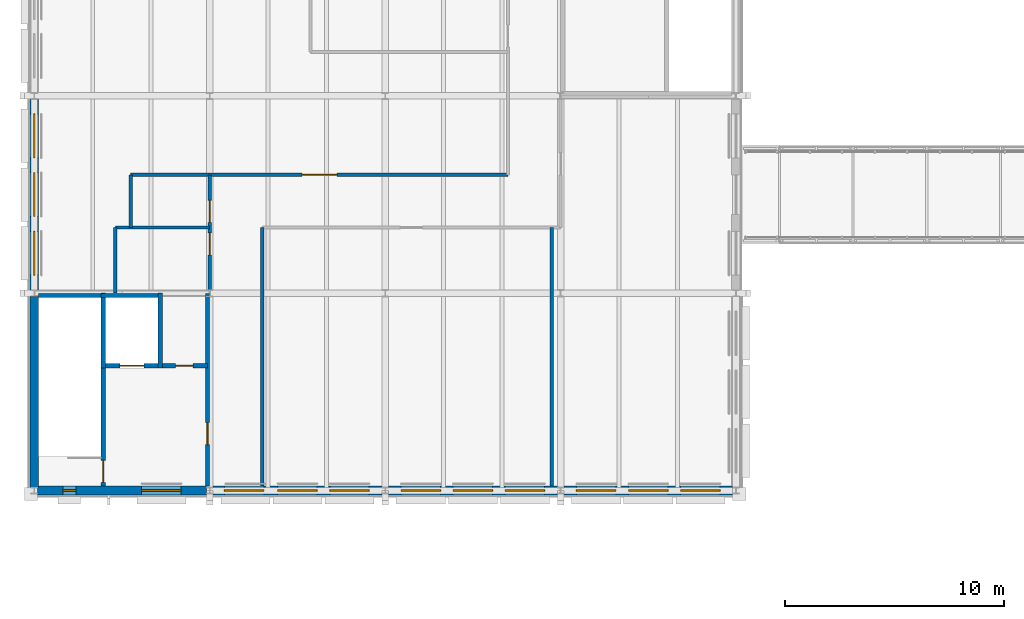
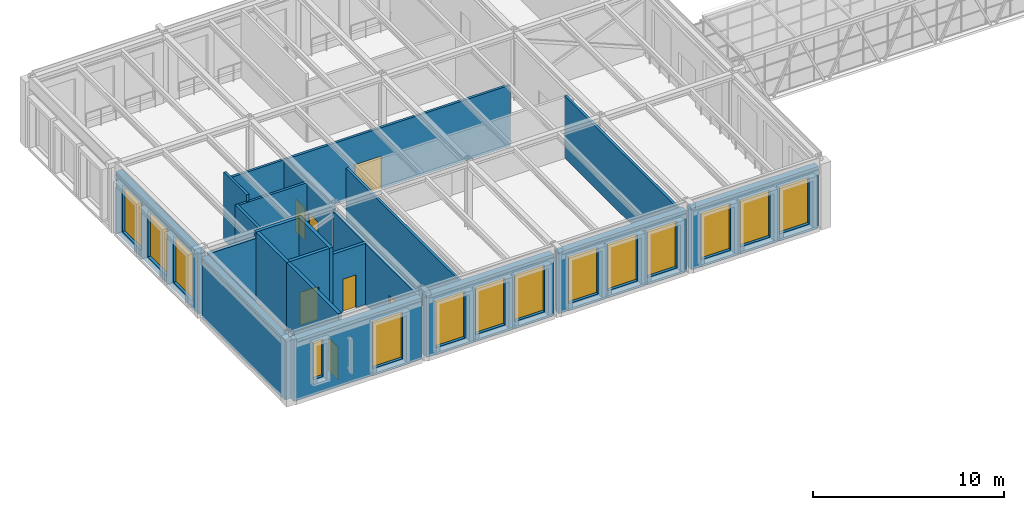
# One storey, part 93 of 149: 21 walls, 14 windows, 7 doors, 21 openings.
"""IFC4 building model written with IfcOpenShell, lengths in metres."""

from ifc_helpers import new_model, si_unit, direction, frame, frame_2d, origin, place, context, subcontext, project, spatial, rectangle, extrude, material, layer, layer_set, type_object, element, fill, save


model = new_model("IFC4")

# Units and contexts
model_context = context("Model", 3, precision=1e-05, world=origin(), true_north=direction((0.0, 1.0)))
body_context = subcontext(model_context, "Body", "Model", "MODEL_VIEW")
ifc_project = project(units=[si_unit("LENGTHUNIT", "METRE"), si_unit("AREAUNIT", "SQUARE_METRE"), si_unit("VOLUMEUNIT", "CUBIC_METRE"), si_unit("PLANEANGLEUNIT", "RADIAN"), si_unit("MASSUNIT", "GRAM", prefix="KILO")], contexts=[model_context])

# Site, building, storey
site_placement = place(None, origin())
site = spatial("IfcSite", under=ifc_project, at=site_placement, CompositionType="ELEMENT")
building_placement = place(site_placement, origin())
building = spatial("IfcBuilding", under=site, at=building_placement, Name="Kallimachos Central Library", CompositionType="ELEMENT")
storey_placement = place(building_placement, frame((0.0, 0.0, 9.89990234375)))
storey = spatial("IfcBuildingStorey", under=building, at=storey_placement, Name="L02", CompositionType="ELEMENT", Elevation=9.89990234375)

# Wall
ifc_material_1 = material(Name="Concrete C30/37", Category="concrete")
ifc_layer_1 = layer(ifc_material_1, 0.199951171875)
ifc_layer_set_1 = layer_set([ifc_layer_1], Name="Core wall 200")
wall_type_1 = type_object("IfcWallType", Name="Core wall 200", PredefinedType="SOLIDWALL", material=ifc_layer_set_1)
wall_1_placement = place(storey_placement, frame((6.199951171875, 95.89990234375, 0.0), z_axis=(0.0, 0.0, 1.0), x_axis=(1.0, 0.0, 0.0)))
element("IfcWall", 1, at=wall_1_placement, inside=storey, type_object=wall_type_1, Name="Core wall sw-stair-north L02", PredefinedType="SOLIDWALL", context=body_context, shape_type="SweptSolid", body=[
    extrude(rectangle(XDim=2.85009765625, YDim=0.199951171875, at=frame_2d((1.425048828125, 0.0))), origin(), (0.0, 0.0, 1.0), 3.960205078125),
])

# Wall, opening, door
wall_2_placement = place(storey_placement, frame((13.89990234375, 87.199951171875, 0.0), z_axis=(0.0, 0.0, 1.0), x_axis=(0.0, 1.0, 0.0)))
wall_2 = element("IfcWall", 2, at=wall_2_placement, inside=storey, type_object=wall_type_1, Name="Core wall sw-east L02", PredefinedType="SOLIDWALL", context=body_context, shape_type="SweptSolid", body=[
    extrude(rectangle(XDim=8.800048828125, YDim=0.199951171875, at=frame_2d((4.39990234375, 0.0))), origin(), (0.0, 0.0, 1.0), 3.91015625),
])
opening_1_placement = place(wall_2_placement, frame((1.89990234375, 0.0, 0.0)))
opening_1 = element("IfcOpeningElement", 3, at=opening_1_placement, cuts=wall_2, Name="Opening D309", PredefinedType="OPENING", context=body_context, shape_type="SweptSolid", body=[
    extrude(rectangle(XDim=1.0, YDim=2.10009765625, at=frame_2d((0.5, 1.050048828125))), frame((0.0, 0.10986328125, 0.0), z_axis=(0.0, -1.0, 0.0), x_axis=(1.0, 0.0, 0.0)), (0.0, 0.0, 1.0), 0.219970703125),
])
ifc_material_2 = material(Name="Steel fire door", Category="steel")
door_type_1 = type_object("IfcDoorType", Name="Fire door 1000 x 2100", OperationType="NOTDEFINED", PredefinedType="DOOR", material=ifc_material_2)
door_1_placement = place(opening_1_placement, origin())
door_1 = element("IfcDoor", 4, at=door_1_placement, inside=storey, type_object=door_type_1, Name="Stair lobby ST5 door to corridor", OperationType="SINGLE_SWING_RIGHT", OverallHeight=2.10009765625, OverallWidth=1.0, PredefinedType="DOOR", context=body_context, shape_type="SweptSolid", body=[
    extrude(rectangle(XDim=1.0, YDim=2.10009765625, at=frame_2d((0.5, 1.050048828125))), frame((0.0, 0.02490234375, 0.0), z_axis=(0.0, -1.0, 0.0), x_axis=(1.0, 0.0, 0.0)), (0.0, 0.0, 1.0), 0.050048828125),
])
fill(opening_1, door_1)

ifc_material_3 = material(Name="Concrete C30/37", Category="concrete")
ifc_layer_2 = layer(ifc_material_3, 0.199951171875)
ifc_layer_set_2 = layer_set([ifc_layer_2], Name="Core wall 200, non-load-bearing")
wall_type_2 = type_object("IfcWallType", Name="Core wall 200, non-load-bearing", PredefinedType="SOLIDWALL", material=ifc_layer_set_2)
wall_3_placement = place(storey_placement, frame((9.14990234375, 87.199951171875, 0.0), z_axis=(0.0, 0.0, 1.0), x_axis=(0.0, 1.0, 0.0)))
wall_3 = element("IfcWall", 5, at=wall_3_placement, inside=storey, type_object=wall_type_2, Name="Core wall sw-stair-lobby L02", PredefinedType="SOLIDWALL", context=body_context, shape_type="SweptSolid", body=[
    extrude(rectangle(XDim=5.400146484375, YDim=0.199951171875, at=frame_2d((2.7001953125, 0.0))), origin(), (0.0, 0.0, 1.0), 4.35009765625),
])
opening_2_placement = place(wall_3_placement, frame((0.175048828125, 0.0, 0.0)))
opening_2 = element("IfcOpeningElement", 6, at=opening_2_placement, cuts=wall_3, Name="Opening D308", PredefinedType="OPENING", context=body_context, shape_type="SweptSolid", body=[
    extrude(rectangle(XDim=1.0, YDim=2.10009765625, at=frame_2d((0.5, 1.050048828125))), frame((0.0, 0.10986328125, 0.0), z_axis=(0.0, -1.0, 0.0), x_axis=(1.0, 0.0, 0.0)), (0.0, 0.0, 1.0), 0.219970703125),
])
door_2_placement = place(opening_2_placement, origin())
door_2 = element("IfcDoor", 7, at=door_2_placement, inside=storey, type_object=door_type_1, Name="Stair ST5 door", OperationType="SINGLE_SWING_RIGHT", OverallHeight=2.10009765625, OverallWidth=1.0, PredefinedType="DOOR", context=body_context, shape_type="SweptSolid", body=[
    extrude(rectangle(XDim=1.0, YDim=2.10009765625, at=frame_2d((0.5, 1.050048828125))), frame((0.0, 0.02490234375, 0.0), z_axis=(0.0, -1.0, 0.0), x_axis=(1.0, 0.0, 0.0)), (0.0, 0.0, 1.0), 0.050048828125),
])
fill(opening_2, door_2)

wall_4_placement = place(storey_placement, frame((11.85009765625, 92.699951171875, 0.0), z_axis=(0.0, 0.0, 1.0), x_axis=(1.0, 0.0, 0.0)))
wall_4 = element("IfcWall", 8, at=wall_4_placement, inside=storey, type_object=wall_type_2, Name="Core wall sw-lobby-north-east L02", PredefinedType="SOLIDWALL", context=body_context, shape_type="SweptSolid", body=[
    extrude(rectangle(XDim=2.0498046875, YDim=0.199951171875, at=frame_2d((1.02490234375, 0.0))), origin(), (0.0, 0.0, 1.0), 3.91015625),
])
opening_3_placement = place(wall_4_placement, frame((0.60009765625, 0.0, 0.0)))
opening_3 = element("IfcOpeningElement", 9, at=opening_3_placement, cuts=wall_4, Name="Opening D310", PredefinedType="OPENING", context=body_context, shape_type="SweptSolid", body=[
    extrude(rectangle(XDim=0.800048828125, YDim=2.10009765625, at=frame_2d((0.39990234375, 1.050048828125))), frame((0.0, 0.10986328125, 0.0), z_axis=(0.0, -1.0, 0.0), x_axis=(1.0, 0.0, 0.0)), (0.0, 0.0, 1.0), 0.219970703125),
])
ifc_material_4 = material(Name="Steel fire door", Category="steel")
door_type_2 = type_object("IfcDoorType", Name="Riser door 800 x 2100", OperationType="NOTDEFINED", PredefinedType="DOOR", material=ifc_material_4)
door_3_placement = place(opening_3_placement, origin())
door_3 = element("IfcDoor", 10, at=door_3_placement, inside=storey, type_object=door_type_2, Name="Riser 1 door", OperationType="SINGLE_SWING_RIGHT", OverallHeight=2.10009765625, OverallWidth=0.800048828125, PredefinedType="DOOR", context=body_context, shape_type="SweptSolid", body=[
    extrude(rectangle(XDim=0.800048828125, YDim=2.10009765625, at=frame_2d((0.39990234375, 1.050048828125))), frame((0.0, 0.02490234375, 0.0), z_axis=(0.0, -1.0, 0.0), x_axis=(1.0, 0.0, 0.0)), (0.0, 0.0, 1.0), 0.050048828125),
])
fill(opening_3, door_3)

# Wall
ifc_material_5 = material(Name="Concrete C30/37", Category="concrete")
ifc_layer_3 = layer(ifc_material_5, 0.199951171875)
ifc_layer_set_3 = layer_set([ifc_layer_3], Name="Lift shaft wall 200")
wall_type_3 = type_object("IfcWallType", Name="Lift shaft wall 200", PredefinedType="SOLIDWALL", material=ifc_layer_set_3)
wall_5_placement = place(storey_placement, frame((9.050048828125, 95.89990234375, 0.0), z_axis=(0.0, 0.0, 1.0), x_axis=(1.0, 0.0, 0.0)))
element("IfcWall", 11, at=wall_5_placement, inside=storey, type_object=wall_type_3, Name="V2-WAL-L02-001", PredefinedType="SOLIDWALL", context=body_context, shape_type="SweptSolid", body=[
    extrude(rectangle(XDim=2.599853515625, YDim=0.199951171875, at=frame_2d((1.2998046875, 0.0))), origin(), (0.0, 0.0, 1.0), 4.35009765625),
])

# Wall, opening, door
wall_6_placement = place(storey_placement, frame((9.25, 92.699951171875, 0.0), z_axis=(0.0, 0.0, 1.0), x_axis=(1.0, 0.0, 0.0)))
wall_6 = element("IfcWall", 12, at=wall_6_placement, inside=storey, type_object=wall_type_3, Name="V2-WAL-L02-002", PredefinedType="SOLIDWALL", context=body_context, shape_type="SweptSolid", body=[
    extrude(rectangle(XDim=2.39990234375, YDim=0.199951171875, at=frame_2d((1.199951171875, 0.0))), origin(), (0.0, 0.0, 1.0), 4.35009765625),
])
opening_4_placement = place(wall_6_placement, frame((0.64990234375, 0.0, 0.0)))
opening_4 = element("IfcOpeningElement", 13, at=opening_4_placement, cuts=wall_6, Name="Opening LD1100", PredefinedType="OPENING", context=body_context, shape_type="SweptSolid", body=[
    extrude(rectangle(XDim=1.10009765625, YDim=2.10009765625, at=frame_2d((0.550048828125, 1.050048828125))), frame((0.0, 0.10986328125, 0.0), z_axis=(0.0, -1.0, 0.0), x_axis=(1.0, 0.0, 0.0)), (0.0, 0.0, 1.0), 0.219970703125),
])
ifc_material_6 = material(Name="Stainless steel", Category="steel")
door_type_3 = type_object("IfcDoorType", Name="Lift landing door 1100 x 2100", OperationType="SLIDING_TO_LEFT", PredefinedType="DOOR", material=ifc_material_6)
door_4_placement = place(opening_4_placement, origin())
door_4 = element("IfcDoor", 14, at=door_4_placement, inside=storey, type_object=door_type_3, Name="LF5 landing door L02", OperationType="SLIDING_TO_LEFT", OverallHeight=2.10009765625, OverallWidth=1.10009765625, PredefinedType="DOOR", context=body_context, shape_type="SweptSolid", body=[
    extrude(rectangle(XDim=1.10009765625, YDim=2.10009765625, at=frame_2d((0.550048828125, 1.050048828125))), frame((0.0, 0.02490234375, 0.0), z_axis=(0.0, -1.0, 0.0), x_axis=(1.0, 0.0, 0.0)), (0.0, 0.0, 1.0), 0.050048828125),
])
fill(opening_4, door_4)

# Walls
for number, where, z_axis, x_axis, name in (
    (15, (9.14990234375, 92.60009765625, 0.0), (0.0, 0.0, 1.0), (0.0, 1.0, 0.0), "V2-WAL-L02-003"),
    (16, (11.75, 92.60009765625, 0.0), (0.0, 0.0, 1.0), (0.0, 1.0, 0.0), "V2-WAL-L02-004"),
):
    element("IfcWall", number, at=place(storey_placement, frame(where, z_axis=z_axis, x_axis=x_axis)), inside=storey, type_object=wall_type_3, Name=name, PredefinedType="SOLIDWALL", context=body_context, shape_type="SweptSolid", body=[
        extrude(rectangle(XDim=3.39990234375, YDim=0.199951171875, at=frame_2d((1.699951171875, 0.0))), origin(), (0.0, 0.0, 1.0), 4.35009765625),
    ])
ifc_material_7 = material(Name="Gypsum board on steel studs", Category="steel")
ifc_layer_4 = layer(ifc_material_7, 0.14990234375)
ifc_layer_set_4 = layer_set([ifc_layer_4], Name="Partition wall 150")
wall_type_4 = type_object("IfcWallType", Name="Partition wall 150", PredefinedType="PARTITIONING", material=ifc_layer_set_4)
wall_7_placement = place(storey_placement, frame((9.699951171875, 96.0, 0.0), z_axis=(0.0, 0.0, 1.0), x_axis=(0.0, 1.0, 0.0)))
element("IfcWall", 17, at=wall_7_placement, inside=storey, type_object=wall_type_4, Name="Partition L02", PredefinedType="PARTITIONING", context=body_context, shape_type="SweptSolid", body=[
    extrude(rectangle(XDim=3.0, YDim=0.14990234375, at=frame_2d((1.5, 0.0))), origin(), (0.0, 0.0, 1.0), 3.960205078125),
])
wall_8_placement = place(storey_placement, frame((9.699951171875, 99.0, 0.0), z_axis=(0.0, 0.0, 1.0), x_axis=(1.0, 0.0, 0.0)))
element("IfcWall", 18, at=wall_8_placement, inside=storey, type_object=wall_type_4, Name="Partition L02", PredefinedType="PARTITIONING", context=body_context, shape_type="SweptSolid", body=[
    extrude(rectangle(XDim=4.300048828125, YDim=0.14990234375, at=frame_2d((2.14990234375, 0.0))), origin(), (0.0, 0.0, 1.0), 3.91015625),
])
wall_9_placement = place(storey_placement, frame((10.39990234375, 99.0, 0.0), z_axis=(0.0, 0.0, 1.0), x_axis=(0.0, 1.0, 0.0)))
element("IfcWall", 19, at=wall_9_placement, inside=storey, type_object=wall_type_4, Name="Partition L02", PredefinedType="PARTITIONING", context=body_context, shape_type="SweptSolid", body=[
    extrude(rectangle(XDim=2.39990234375, YDim=0.14990234375, at=frame_2d((1.199951171875, 0.0))), origin(), (0.0, 0.0, 1.0), 4.35009765625),
])

# Wall, opening, door
wall_10_placement = place(storey_placement, frame((10.39990234375, 101.39990234375, 0.0), z_axis=(0.0, 0.0, 1.0), x_axis=(1.0, 0.0, 0.0)))
wall_10 = element("IfcWall", 20, at=wall_10_placement, inside=storey, type_object=wall_type_4, Name="Partition L02", PredefinedType="PARTITIONING", context=body_context, shape_type="SweptSolid", body=[
    extrude(rectangle(XDim=17.2001953125, YDim=0.14990234375, at=frame_2d((8.60009765625, 0.0))), origin(), (0.0, 0.0, 1.0), 3.91015625),
])
opening_5_placement = place(wall_10_placement, frame((7.81005859375, 0.0, 0.0)))
opening_5 = element("IfcOpeningElement", 21, at=opening_5_placement, cuts=wall_10, Name="Opening D315", PredefinedType="OPENING", context=body_context, shape_type="SweptSolid", body=[
    extrude(rectangle(XDim=1.60009765625, YDim=2.10009765625, at=frame_2d((0.800048828125, 1.050048828125))), frame((0.0, 0.0849609375, 0.0), z_axis=(0.0, -1.0, 0.0), x_axis=(1.0, 0.0, 0.0)), (0.0, 0.0, 1.0), 0.169921875),
])
ifc_material_8 = material(Name="Timber door", Category="wood")
door_type_4 = type_object("IfcDoorType", Name="Double leaf door 1600 x 2100", OperationType="DOUBLE_DOOR_SINGLE_SWING", PredefinedType="DOOR", material=ifc_material_8)
door_5_placement = place(opening_5_placement, origin())
door_5 = element("IfcDoor", 22, at=door_5_placement, inside=storey, type_object=door_type_4, Name="Door to Children's Reading Room 4", OperationType="DOUBLE_DOOR_SINGLE_SWING", OverallHeight=2.10009765625, OverallWidth=1.60009765625, PredefinedType="DOOR", context=body_context, shape_type="SweptSolid", body=[
    extrude(rectangle(XDim=1.60009765625, YDim=2.10009765625, at=frame_2d((0.800048828125, 1.050048828125))), frame((0.0, 0.02490234375, 0.0), z_axis=(0.0, -1.0, 0.0), x_axis=(1.0, 0.0, 0.0)), (0.0, 0.0, 1.0), 0.050048828125),
])
fill(opening_5, door_5)

# Wall, openings, doors
wall_11_placement = place(storey_placement, frame((14.0, 96.14990234375, 0.0), z_axis=(0.0, 0.0, 1.0), x_axis=(0.0, 1.0, 0.0)))
wall_11 = element("IfcWall", 23, at=wall_11_placement, inside=storey, type_object=wall_type_4, Name="Partition L02", PredefinedType="PARTITIONING", context=body_context, shape_type="SweptSolid", body=[
    extrude(rectangle(XDim=5.25, YDim=0.14990234375, at=frame_2d((2.625, 0.0))), origin(), (0.0, 0.0, 1.0), 3.91015625),
])
opening_6_placement = place(wall_11_placement, frame((1.60009765625, 0.0, 0.0)))
opening_6 = element("IfcOpeningElement", 24, at=opening_6_placement, cuts=wall_11, Name="Opening D317", PredefinedType="OPENING", context=body_context, shape_type="SweptSolid", body=[
    extrude(rectangle(XDim=1.0, YDim=2.10009765625, at=frame_2d((0.5, 1.050048828125))), frame((0.0, 0.0849609375, 0.0), z_axis=(0.0, -1.0, 0.0), x_axis=(1.0, 0.0, 0.0)), (0.0, 0.0, 1.0), 0.169921875),
])
opening_7_placement = place(wall_11_placement, frame((3.080078125, 0.0, 0.0)))
opening_7 = element("IfcOpeningElement", 25, at=opening_7_placement, cuts=wall_11, Name="Opening D318", PredefinedType="OPENING", context=body_context, shape_type="SweptSolid", body=[
    extrude(rectangle(XDim=1.0, YDim=2.10009765625, at=frame_2d((0.5, 1.050048828125))), frame((0.0, 0.0849609375, 0.0), z_axis=(0.0, -1.0, 0.0), x_axis=(1.0, 0.0, 0.0)), (0.0, 0.0, 1.0), 0.169921875),
])
ifc_material_9 = material(Name="Timber", Category="wood")
door_type_5 = type_object("IfcDoorType", Name="Single leaf door 1000 x 2100, EI2 30", OperationType="NOTDEFINED", PredefinedType="DOOR", material=ifc_material_9)
door_6_placement = place(opening_6_placement, origin())
door_6 = element("IfcDoor", 26, at=door_6_placement, inside=storey, type_object=door_type_5, Name="Door to Parents' WC 3", OperationType="SINGLE_SWING_LEFT", OverallHeight=2.10009765625, OverallWidth=1.0, PredefinedType="DOOR", context=body_context, shape_type="SweptSolid", body=[
    extrude(rectangle(XDim=1.0, YDim=2.10009765625, at=frame_2d((0.5, 1.050048828125))), frame((0.0, 0.02490234375, 0.0), z_axis=(0.0, -1.0, 0.0), x_axis=(1.0, 0.0, 0.0)), (0.0, 0.0, 1.0), 0.050048828125),
])
fill(opening_6, door_6)
door_7_placement = place(opening_7_placement, origin())
door_7 = element("IfcDoor", 27, at=door_7_placement, inside=storey, type_object=door_type_5, Name="Door to Accessible WC 3", OperationType="SINGLE_SWING_RIGHT", OverallHeight=2.10009765625, OverallWidth=1.0, PredefinedType="DOOR", context=body_context, shape_type="SweptSolid", body=[
    extrude(rectangle(XDim=1.0, YDim=2.10009765625, at=frame_2d((0.5, 1.050048828125))), frame((0.0, 0.02490234375, 0.0), z_axis=(0.0, -1.0, 0.0), x_axis=(1.0, 0.0, 0.0)), (0.0, 0.0, 1.0), 0.050048828125),
])
fill(opening_7, door_7)

# Walls
for number, where, z_axis, x_axis, name in (
    (28, (16.39990234375, 87.199951171875, 0.0), (0.0, 0.0, 1.0), (0.0, 1.0, 0.0), "Partition L02"),
    (29, (29.60009765625, 87.199951171875, 0.0), (0.0, 0.0, 1.0), (0.0, 1.0, 0.0), "Partition L02"),
):
    element("IfcWall", number, at=place(storey_placement, frame(where, z_axis=z_axis, x_axis=x_axis)), inside=storey, type_object=wall_type_4, Name=name, PredefinedType="PARTITIONING", context=body_context, shape_type="SweptSolid", body=[
        extrude(rectangle(XDim=11.800048828125, YDim=0.14990234375, at=frame_2d((5.89990234375, 0.0))), origin(), (0.0, 0.0, 1.0), 3.960205078125),
    ])

# Wall, openings, windows
ifc_material_10 = material(Name="Pentelic marble cladding on insulated brick masonry", Category="masonry")
ifc_layer_5 = layer(ifc_material_10, 0.39990234375)
ifc_layer_set_5 = layer_set([ifc_layer_5], Name="Stone cladding wall 400")
wall_type_5 = type_object("IfcWallType", Name="Stone cladding wall 400", PredefinedType="SOLIDWALL", material=ifc_layer_set_5)
wall_12_placement = place(storey_placement, frame((6.14990234375, 87.0, 0.0), z_axis=(0.0, 0.0, 1.0), x_axis=(1.0, 0.0, 0.0)))
wall_12 = element("IfcWall", 30, at=wall_12_placement, inside=storey, type_object=wall_type_5, Name="Stone wall S1 L02", PredefinedType="SOLIDWALL", context=body_context, shape_type="SweptSolid", body=[
    extrude(rectangle(XDim=7.7001953125, YDim=0.39990234375, at=frame_2d((3.85009765625, 0.0))), origin(), (0.0, 0.0, 1.0), 3.93017578125),
])
opening_8_placement = place(wall_12_placement, frame((1.14990234375, 0.0, 1.0)))
opening_8 = element("IfcOpeningElement", 31, at=opening_8_placement, cuts=wall_12, Name="Opening WN166", PredefinedType="OPENING", context=body_context, shape_type="SweptSolid", body=[
    extrude(rectangle(XDim=0.60009765625, YDim=2.39990234375, at=frame_2d((0.300048828125, 1.199951171875))), frame((0.0, 0.2099609375, 0.0), z_axis=(0.0, -1.0, 0.0), x_axis=(1.0, 0.0, 0.0)), (0.0, 0.0, 1.0), 0.419921875),
])
opening_9_placement = place(wall_12_placement, frame((4.75, 0.0, 0.449951171875)))
opening_9 = element("IfcOpeningElement", 32, at=opening_9_placement, cuts=wall_12, Name="Opening WN167", PredefinedType="OPENING", context=body_context, shape_type="SweptSolid", body=[
    extrude(rectangle(XDim=1.800048828125, YDim=3.0, at=frame_2d((0.89990234375, 1.5))), frame((0.0, 0.2099609375, 0.0), z_axis=(0.0, -1.0, 0.0), x_axis=(1.0, 0.0, 0.0)), (0.0, 0.0, 1.0), 0.419921875),
])
ifc_material_11 = material(Name="Laminated safety glass in painted steel frame", Category="steel")
window_type_1 = type_object("IfcWindowType", Name="Stair window 600 x 2400", PartitioningType="SINGLE_PANEL", PredefinedType="WINDOW", material=ifc_material_11)
window_1_placement = place(opening_8_placement, origin())
window_1 = element("IfcWindow", 33, at=window_1_placement, inside=storey, type_object=window_type_1, Name="V2-WIN-L02-001", OverallHeight=2.39990234375, OverallWidth=0.60009765625, PartitioningType="SINGLE_PANEL", PredefinedType="WINDOW", context=body_context, shape_type="SweptSolid", body=[
    extrude(rectangle(XDim=0.60009765625, YDim=2.39990234375, at=frame_2d((0.300048828125, 1.199951171875))), frame((0.0, 0.030029296875, 0.0), z_axis=(0.0, -1.0, 0.0), x_axis=(1.0, 0.0, 0.0)), (0.0, 0.0, 1.0), 0.06005859375),
])
fill(opening_8, window_1)
ifc_material_12 = material(Name="Laminated safety glass in painted steel frame", Category="steel")
window_type_2 = type_object("IfcWindowType", Name="Window 1800 x 3000", PartitioningType="SINGLE_PANEL", PredefinedType="WINDOW", material=ifc_material_12)
window_2_placement = place(opening_9_placement, origin())
window_2 = element("IfcWindow", 34, at=window_2_placement, inside=storey, type_object=window_type_2, Name="V2-WIN-L02-002", OverallHeight=3.0, OverallWidth=1.800048828125, PartitioningType="SINGLE_PANEL", PredefinedType="WINDOW", context=body_context, shape_type="SweptSolid", body=[
    extrude(rectangle(XDim=1.800048828125, YDim=3.0, at=frame_2d((0.89990234375, 1.5))), frame((0.0, 0.030029296875, 0.0), z_axis=(0.0, -1.0, 0.0), x_axis=(1.0, 0.0, 0.0)), (0.0, 0.0, 1.0), 0.06005859375),
])
fill(opening_9, window_2)

# Wall
wall_13_placement = place(storey_placement, frame((6.0, 87.14990234375, 0.0), z_axis=(0.0, 0.0, 1.0), x_axis=(0.0, 1.0, 0.0)))
element("IfcWall", 35, at=wall_13_placement, inside=storey, type_object=wall_type_5, Name="Stone wall W1 L02", PredefinedType="SOLIDWALL", context=body_context, shape_type="SweptSolid", body=[
    extrude(rectangle(XDim=8.7001953125, YDim=0.39990234375, at=frame_2d((4.35009765625, 0.0))), origin(), (0.0, 0.0, 1.0), 3.880126953125),
])

# Wall, openings, windows
ifc_material_13 = material(Name="Pentelic marble cladding on insulated brick masonry", Category="masonry")
ifc_layer_6 = layer(ifc_material_13, 0.39990234375)
ifc_layer_set_6 = layer_set([ifc_layer_6], Name="Stone cladding wall 400, unrated")
wall_type_6 = type_object("IfcWallType", Name="Stone cladding wall 400, unrated", PredefinedType="SOLIDWALL", material=ifc_layer_set_6)
wall_14_placement = place(storey_placement, frame((14.14990234375, 87.0, 0.0), z_axis=(0.0, 0.0, 1.0), x_axis=(1.0, 0.0, 0.0)))
wall_14 = element("IfcWall", 36, at=wall_14_placement, inside=storey, type_object=wall_type_6, Name="Stone wall S2 L02", PredefinedType="SOLIDWALL", context=body_context, shape_type="SweptSolid", body=[
    extrude(rectangle(XDim=7.7001953125, YDim=0.39990234375, at=frame_2d((3.85009765625, 0.0))), origin(), (0.0, 0.0, 1.0), 3.93017578125),
])
opening_10_placement = place(wall_14_placement, frame((0.52490234375, 0.0, 0.449951171875)))
opening_10 = element("IfcOpeningElement", 37, at=opening_10_placement, cuts=wall_14, Name="Opening WN174", PredefinedType="OPENING", context=body_context, shape_type="SweptSolid", body=[
    extrude(rectangle(XDim=1.800048828125, YDim=3.0, at=frame_2d((0.89990234375, 1.5))), frame((0.0, 0.2099609375, 0.0), z_axis=(0.0, -1.0, 0.0), x_axis=(1.0, 0.0, 0.0)), (0.0, 0.0, 1.0), 0.419921875),
])
opening_11_placement = place(wall_14_placement, frame((2.949951171875, 0.0, 0.449951171875)))
opening_11 = element("IfcOpeningElement", 38, at=opening_11_placement, cuts=wall_14, Name="Opening WN175", PredefinedType="OPENING", context=body_context, shape_type="SweptSolid", body=[
    extrude(rectangle(XDim=1.800048828125, YDim=3.0, at=frame_2d((0.89990234375, 1.5))), frame((0.0, 0.2099609375, 0.0), z_axis=(0.0, -1.0, 0.0), x_axis=(1.0, 0.0, 0.0)), (0.0, 0.0, 1.0), 0.419921875),
])
opening_12_placement = place(wall_14_placement, frame((5.324951171875, 0.0, 0.449951171875)))
opening_12 = element("IfcOpeningElement", 39, at=opening_12_placement, cuts=wall_14, Name="Opening WN176", PredefinedType="OPENING", context=body_context, shape_type="SweptSolid", body=[
    extrude(rectangle(XDim=1.800048828125, YDim=3.0, at=frame_2d((0.89990234375, 1.5))), frame((0.0, 0.2099609375, 0.0), z_axis=(0.0, -1.0, 0.0), x_axis=(1.0, 0.0, 0.0)), (0.0, 0.0, 1.0), 0.419921875),
])
window_3_placement = place(opening_10_placement, origin())
window_3 = element("IfcWindow", 40, at=window_3_placement, inside=storey, type_object=window_type_2, Name="V2-WIN-L02-003", OverallHeight=3.0, OverallWidth=1.800048828125, PartitioningType="SINGLE_PANEL", PredefinedType="WINDOW", context=body_context, shape_type="SweptSolid", body=[
    extrude(rectangle(XDim=1.800048828125, YDim=3.0, at=frame_2d((0.89990234375, 1.5))), frame((0.0, 0.030029296875, 0.0), z_axis=(0.0, -1.0, 0.0), x_axis=(1.0, 0.0, 0.0)), (0.0, 0.0, 1.0), 0.06005859375),
])
fill(opening_10, window_3)
window_4_placement = place(opening_11_placement, origin())
window_4 = element("IfcWindow", 41, at=window_4_placement, inside=storey, type_object=window_type_2, Name="V2-WIN-L02-004", OverallHeight=3.0, OverallWidth=1.800048828125, PartitioningType="SINGLE_PANEL", PredefinedType="WINDOW", context=body_context, shape_type="SweptSolid", body=[
    extrude(rectangle(XDim=1.800048828125, YDim=3.0, at=frame_2d((0.89990234375, 1.5))), frame((0.0, 0.030029296875, 0.0), z_axis=(0.0, -1.0, 0.0), x_axis=(1.0, 0.0, 0.0)), (0.0, 0.0, 1.0), 0.06005859375),
])
fill(opening_11, window_4)
window_5_placement = place(opening_12_placement, origin())
window_5 = element("IfcWindow", 42, at=window_5_placement, inside=storey, type_object=window_type_2, Name="V2-WIN-L02-005", OverallHeight=3.0, OverallWidth=1.800048828125, PartitioningType="SINGLE_PANEL", PredefinedType="WINDOW", context=body_context, shape_type="SweptSolid", body=[
    extrude(rectangle(XDim=1.800048828125, YDim=3.0, at=frame_2d((0.89990234375, 1.5))), frame((0.0, 0.030029296875, 0.0), z_axis=(0.0, -1.0, 0.0), x_axis=(1.0, 0.0, 0.0)), (0.0, 0.0, 1.0), 0.06005859375),
])
fill(opening_12, window_5)

wall_15_placement = place(storey_placement, frame((22.14990234375, 87.0, 0.0), z_axis=(0.0, 0.0, 1.0), x_axis=(1.0, 0.0, 0.0)))
wall_15 = element("IfcWall", 43, at=wall_15_placement, inside=storey, type_object=wall_type_6, Name="Stone wall S3 L02", PredefinedType="SOLIDWALL", context=body_context, shape_type="SweptSolid", body=[
    extrude(rectangle(XDim=7.7001953125, YDim=0.39990234375, at=frame_2d((3.85009765625, 0.0))), origin(), (0.0, 0.0, 1.0), 3.93017578125),
])
opening_13_placement = place(wall_15_placement, frame((0.574951171875, 0.0, 0.449951171875)))
opening_13 = element("IfcOpeningElement", 44, at=opening_13_placement, cuts=wall_15, Name="Opening WN183", PredefinedType="OPENING", context=body_context, shape_type="SweptSolid", body=[
    extrude(rectangle(XDim=1.800048828125, YDim=3.0, at=frame_2d((0.89990234375, 1.5))), frame((0.0, 0.2099609375, 0.0), z_axis=(0.0, -1.0, 0.0), x_axis=(1.0, 0.0, 0.0)), (0.0, 0.0, 1.0), 0.419921875),
])
opening_14_placement = place(wall_15_placement, frame((2.949951171875, 0.0, 0.449951171875)))
opening_14 = element("IfcOpeningElement", 45, at=opening_14_placement, cuts=wall_15, Name="Opening WN184", PredefinedType="OPENING", context=body_context, shape_type="SweptSolid", body=[
    extrude(rectangle(XDim=1.800048828125, YDim=3.0, at=frame_2d((0.89990234375, 1.5))), frame((0.0, 0.2099609375, 0.0), z_axis=(0.0, -1.0, 0.0), x_axis=(1.0, 0.0, 0.0)), (0.0, 0.0, 1.0), 0.419921875),
])
opening_15_placement = place(wall_15_placement, frame((5.324951171875, 0.0, 0.449951171875)))
opening_15 = element("IfcOpeningElement", 46, at=opening_15_placement, cuts=wall_15, Name="Opening WN185", PredefinedType="OPENING", context=body_context, shape_type="SweptSolid", body=[
    extrude(rectangle(XDim=1.800048828125, YDim=3.0, at=frame_2d((0.89990234375, 1.5))), frame((0.0, 0.2099609375, 0.0), z_axis=(0.0, -1.0, 0.0), x_axis=(1.0, 0.0, 0.0)), (0.0, 0.0, 1.0), 0.419921875),
])
window_6_placement = place(opening_13_placement, origin())
window_6 = element("IfcWindow", 47, at=window_6_placement, inside=storey, type_object=window_type_2, Name="V2-WIN-L02-006", OverallHeight=3.0, OverallWidth=1.800048828125, PartitioningType="SINGLE_PANEL", PredefinedType="WINDOW", context=body_context, shape_type="SweptSolid", body=[
    extrude(rectangle(XDim=1.800048828125, YDim=3.0, at=frame_2d((0.89990234375, 1.5))), frame((0.0, 0.030029296875, 0.0), z_axis=(0.0, -1.0, 0.0), x_axis=(1.0, 0.0, 0.0)), (0.0, 0.0, 1.0), 0.06005859375),
])
fill(opening_13, window_6)
window_7_placement = place(opening_14_placement, origin())
window_7 = element("IfcWindow", 48, at=window_7_placement, inside=storey, type_object=window_type_2, Name="V2-WIN-L02-007", OverallHeight=3.0, OverallWidth=1.800048828125, PartitioningType="SINGLE_PANEL", PredefinedType="WINDOW", context=body_context, shape_type="SweptSolid", body=[
    extrude(rectangle(XDim=1.800048828125, YDim=3.0, at=frame_2d((0.89990234375, 1.5))), frame((0.0, 0.030029296875, 0.0), z_axis=(0.0, -1.0, 0.0), x_axis=(1.0, 0.0, 0.0)), (0.0, 0.0, 1.0), 0.06005859375),
])
fill(opening_14, window_7)
window_8_placement = place(opening_15_placement, origin())
window_8 = element("IfcWindow", 49, at=window_8_placement, inside=storey, type_object=window_type_2, Name="V2-WIN-L02-008", OverallHeight=3.0, OverallWidth=1.800048828125, PartitioningType="SINGLE_PANEL", PredefinedType="WINDOW", context=body_context, shape_type="SweptSolid", body=[
    extrude(rectangle(XDim=1.800048828125, YDim=3.0, at=frame_2d((0.89990234375, 1.5))), frame((0.0, 0.030029296875, 0.0), z_axis=(0.0, -1.0, 0.0), x_axis=(1.0, 0.0, 0.0)), (0.0, 0.0, 1.0), 0.06005859375),
])
fill(opening_15, window_8)

wall_16_placement = place(storey_placement, frame((30.14990234375, 87.0, 0.0), z_axis=(0.0, 0.0, 1.0), x_axis=(1.0, 0.0, 0.0)))
wall_16 = element("IfcWall", 50, at=wall_16_placement, inside=storey, type_object=wall_type_6, Name="Stone wall S4 L02", PredefinedType="SOLIDWALL", context=body_context, shape_type="SweptSolid", body=[
    extrude(rectangle(XDim=7.7001953125, YDim=0.39990234375, at=frame_2d((3.85009765625, 0.0))), origin(), (0.0, 0.0, 1.0), 3.93017578125),
])
opening_16_placement = place(wall_16_placement, frame((0.574951171875, 0.0, 0.449951171875)))
opening_16 = element("IfcOpeningElement", 51, at=opening_16_placement, cuts=wall_16, Name="Opening WN192", PredefinedType="OPENING", context=body_context, shape_type="SweptSolid", body=[
    extrude(rectangle(XDim=1.800048828125, YDim=3.0, at=frame_2d((0.89990234375, 1.5))), frame((0.0, 0.2099609375, 0.0), z_axis=(0.0, -1.0, 0.0), x_axis=(1.0, 0.0, 0.0)), (0.0, 0.0, 1.0), 0.419921875),
])
opening_17_placement = place(wall_16_placement, frame((2.949951171875, 0.0, 0.449951171875)))
opening_17 = element("IfcOpeningElement", 52, at=opening_17_placement, cuts=wall_16, Name="Opening WN193", PredefinedType="OPENING", context=body_context, shape_type="SweptSolid", body=[
    extrude(rectangle(XDim=1.800048828125, YDim=3.0, at=frame_2d((0.89990234375, 1.5))), frame((0.0, 0.2099609375, 0.0), z_axis=(0.0, -1.0, 0.0), x_axis=(1.0, 0.0, 0.0)), (0.0, 0.0, 1.0), 0.419921875),
])
opening_18_placement = place(wall_16_placement, frame((5.324951171875, 0.0, 0.449951171875)))
opening_18 = element("IfcOpeningElement", 53, at=opening_18_placement, cuts=wall_16, Name="Opening WN194", PredefinedType="OPENING", context=body_context, shape_type="SweptSolid", body=[
    extrude(rectangle(XDim=1.800048828125, YDim=3.0, at=frame_2d((0.89990234375, 1.5))), frame((0.0, 0.2099609375, 0.0), z_axis=(0.0, -1.0, 0.0), x_axis=(1.0, 0.0, 0.0)), (0.0, 0.0, 1.0), 0.419921875),
])
window_9_placement = place(opening_16_placement, origin())
window_9 = element("IfcWindow", 54, at=window_9_placement, inside=storey, type_object=window_type_2, Name="V2-WIN-L02-009", OverallHeight=3.0, OverallWidth=1.800048828125, PartitioningType="SINGLE_PANEL", PredefinedType="WINDOW", context=body_context, shape_type="SweptSolid", body=[
    extrude(rectangle(XDim=1.800048828125, YDim=3.0, at=frame_2d((0.89990234375, 1.5))), frame((0.0, 0.030029296875, 0.0), z_axis=(0.0, -1.0, 0.0), x_axis=(1.0, 0.0, 0.0)), (0.0, 0.0, 1.0), 0.06005859375),
])
fill(opening_16, window_9)
window_10_placement = place(opening_17_placement, origin())
window_10 = element("IfcWindow", 55, at=window_10_placement, inside=storey, type_object=window_type_2, Name="V2-WIN-L02-010", OverallHeight=3.0, OverallWidth=1.800048828125, PartitioningType="SINGLE_PANEL", PredefinedType="WINDOW", context=body_context, shape_type="SweptSolid", body=[
    extrude(rectangle(XDim=1.800048828125, YDim=3.0, at=frame_2d((0.89990234375, 1.5))), frame((0.0, 0.030029296875, 0.0), z_axis=(0.0, -1.0, 0.0), x_axis=(1.0, 0.0, 0.0)), (0.0, 0.0, 1.0), 0.06005859375),
])
fill(opening_17, window_10)
window_11_placement = place(opening_18_placement, origin())
window_11 = element("IfcWindow", 56, at=window_11_placement, inside=storey, type_object=window_type_2, Name="V2-WIN-L02-011", OverallHeight=3.0, OverallWidth=1.800048828125, PartitioningType="SINGLE_PANEL", PredefinedType="WINDOW", context=body_context, shape_type="SweptSolid", body=[
    extrude(rectangle(XDim=1.800048828125, YDim=3.0, at=frame_2d((0.89990234375, 1.5))), frame((0.0, 0.030029296875, 0.0), z_axis=(0.0, -1.0, 0.0), x_axis=(1.0, 0.0, 0.0)), (0.0, 0.0, 1.0), 0.06005859375),
])
fill(opening_18, window_11)

wall_17_placement = place(storey_placement, frame((6.0, 96.14990234375, 0.0), z_axis=(0.0, 0.0, 1.0), x_axis=(0.0, 1.0, 0.0)))
wall_17 = element("IfcWall", 57, at=wall_17_placement, inside=storey, type_object=wall_type_6, Name="Stone wall W2 L02", PredefinedType="SOLIDWALL", context=body_context, shape_type="SweptSolid", body=[
    extrude(rectangle(XDim=8.7001953125, YDim=0.39990234375, at=frame_2d((4.35009765625, 0.0))), origin(), (0.0, 0.0, 1.0), 3.880126953125),
])
opening_19_placement = place(wall_17_placement, frame((0.675048828125, 0.0, 0.449951171875)))
opening_19 = element("IfcOpeningElement", 58, at=opening_19_placement, cuts=wall_17, Name="Opening WN231", PredefinedType="OPENING", context=body_context, shape_type="SweptSolid", body=[
    extrude(rectangle(XDim=2.0, YDim=3.0, at=frame_2d((1.0, 1.5))), frame((0.0, 0.2099609375, 0.0), z_axis=(0.0, -1.0, 0.0), x_axis=(1.0, 0.0, 0.0)), (0.0, 0.0, 1.0), 0.419921875),
])
opening_20_placement = place(wall_17_placement, frame((3.35009765625, 0.0, 0.449951171875)))
opening_20 = element("IfcOpeningElement", 59, at=opening_20_placement, cuts=wall_17, Name="Opening WN232", PredefinedType="OPENING", context=body_context, shape_type="SweptSolid", body=[
    extrude(rectangle(XDim=2.0, YDim=3.0, at=frame_2d((1.0, 1.5))), frame((0.0, 0.2099609375, 0.0), z_axis=(0.0, -1.0, 0.0), x_axis=(1.0, 0.0, 0.0)), (0.0, 0.0, 1.0), 0.419921875),
])
opening_21_placement = place(wall_17_placement, frame((6.02490234375, 0.0, 0.449951171875)))
opening_21 = element("IfcOpeningElement", 60, at=opening_21_placement, cuts=wall_17, Name="Opening WN233", PredefinedType="OPENING", context=body_context, shape_type="SweptSolid", body=[
    extrude(rectangle(XDim=2.0, YDim=3.0, at=frame_2d((1.0, 1.5))), frame((0.0, 0.2099609375, 0.0), z_axis=(0.0, -1.0, 0.0), x_axis=(1.0, 0.0, 0.0)), (0.0, 0.0, 1.0), 0.419921875),
])
ifc_material_14 = material(Name="Laminated safety glass in painted steel frame", Category="steel")
window_type_3 = type_object("IfcWindowType", Name="Window 2000 x 3000", PartitioningType="SINGLE_PANEL", PredefinedType="WINDOW", material=ifc_material_14)
window_12_placement = place(opening_19_placement, origin())
window_12 = element("IfcWindow", 61, at=window_12_placement, inside=storey, type_object=window_type_3, Name="V2-WIN-L02-023", OverallHeight=3.0, OverallWidth=2.0, PartitioningType="SINGLE_PANEL", PredefinedType="WINDOW", context=body_context, shape_type="SweptSolid", body=[
    extrude(rectangle(XDim=2.0, YDim=3.0, at=frame_2d((1.0, 1.5))), frame((0.0, 0.030029296875, 0.0), z_axis=(0.0, -1.0, 0.0), x_axis=(1.0, 0.0, 0.0)), (0.0, 0.0, 1.0), 0.06005859375),
])
fill(opening_19, window_12)
window_13_placement = place(opening_20_placement, origin())
window_13 = element("IfcWindow", 62, at=window_13_placement, inside=storey, type_object=window_type_3, Name="V2-WIN-L02-024", OverallHeight=3.0, OverallWidth=2.0, PartitioningType="SINGLE_PANEL", PredefinedType="WINDOW", context=body_context, shape_type="SweptSolid", body=[
    extrude(rectangle(XDim=2.0, YDim=3.0, at=frame_2d((1.0, 1.5))), frame((0.0, 0.030029296875, 0.0), z_axis=(0.0, -1.0, 0.0), x_axis=(1.0, 0.0, 0.0)), (0.0, 0.0, 1.0), 0.06005859375),
])
fill(opening_20, window_13)
window_14_placement = place(opening_21_placement, origin())
window_14 = element("IfcWindow", 63, at=window_14_placement, inside=storey, type_object=window_type_3, Name="V2-WIN-L02-025", OverallHeight=3.0, OverallWidth=2.0, PartitioningType="SINGLE_PANEL", PredefinedType="WINDOW", context=body_context, shape_type="SweptSolid", body=[
    extrude(rectangle(XDim=2.0, YDim=3.0, at=frame_2d((1.0, 1.5))), frame((0.0, 0.030029296875, 0.0), z_axis=(0.0, -1.0, 0.0), x_axis=(1.0, 0.0, 0.0)), (0.0, 0.0, 1.0), 0.06005859375),
])
fill(opening_21, window_14)

save(model, "model.ifc")
